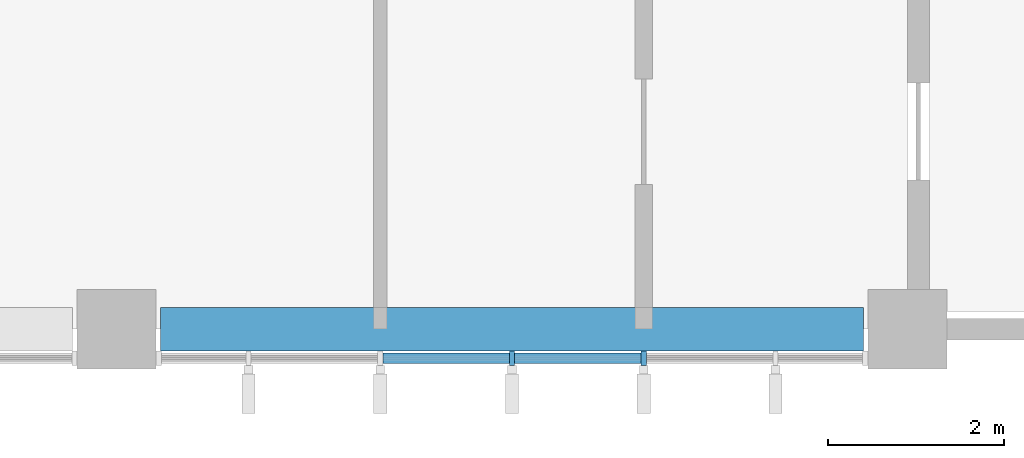
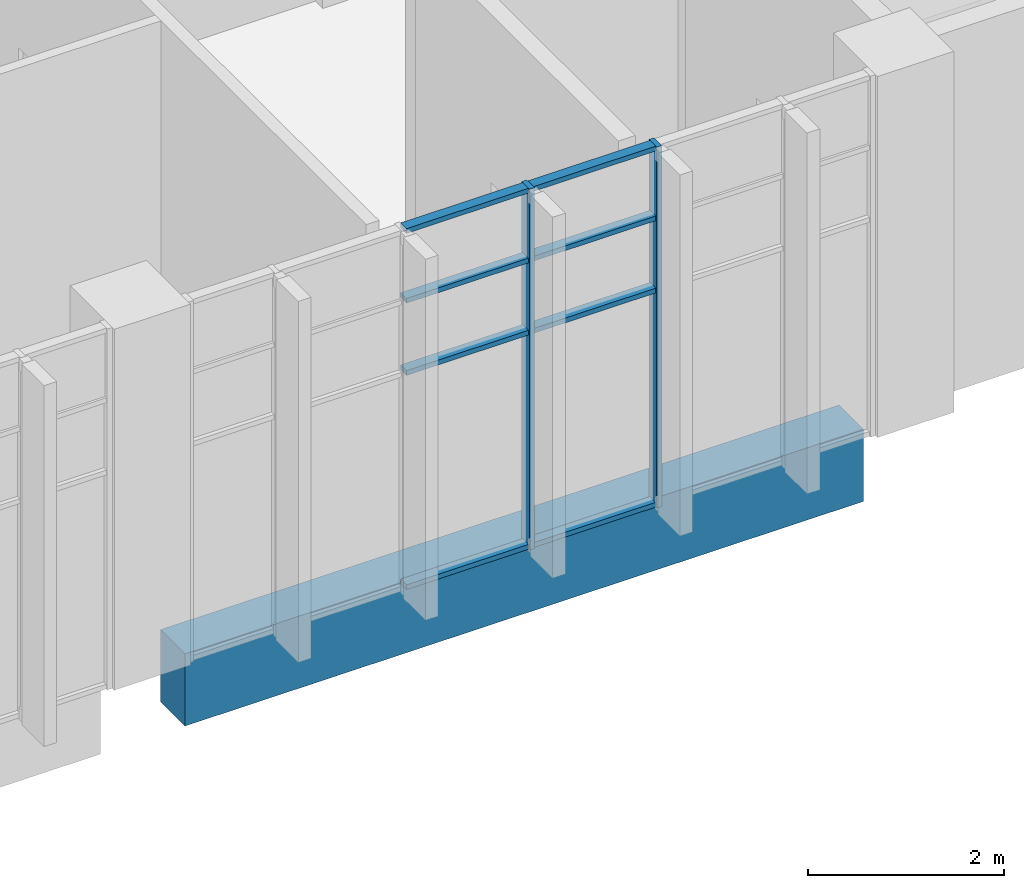
# One storey, part 32 of 106: 10 members, 1 beam, 1 element without a shape of its own.
"""IFC4 building model written with IfcOpenShell, lengths in metres."""

from ifc_helpers import new_model, si_unit, direction, frame, origin, origin_2d, place, context, subcontext, project, spatial, rectangle, extrude, material, layer, layer_set, material_profile, profile_set, type_object, element, aggregate, save


model = new_model("IFC4")

# Units and contexts
model_context = context("Model", 3, precision=1e-05, world=origin(), true_north=direction((0.0, 1.0)))
body_context = subcontext(model_context, "Body", "Model", "MODEL_VIEW")
ifc_project = project(units=[si_unit("LENGTHUNIT", "METRE"), si_unit("AREAUNIT", "SQUARE_METRE"), si_unit("VOLUMEUNIT", "CUBIC_METRE"), si_unit("PLANEANGLEUNIT", "RADIAN"), si_unit("MASSUNIT", "GRAM", prefix="KILO")], contexts=[model_context])

# Site, building, storey
site_placement = place(None, origin())
site = spatial("IfcSite", under=ifc_project, at=site_placement, CompositionType="ELEMENT")
building_placement = place(site_placement, origin())
building = spatial("IfcBuilding", under=site, at=building_placement, Name="Guidao Yard Department Store", CompositionType="ELEMENT")
storey_placement = place(building_placement, frame((0.0, 0.0, 10.5)))
storey = spatial("IfcBuildingStorey", under=building, at=storey_placement, Name="L02", CompositionType="ELEMENT", Elevation=10.5)

# Curtain wall, members
ifc_material_1 = material(Name="Aluminium and glass", Category="aluminium")
ifc_layer = layer(ifc_material_1, 0.159912109375)
ifc_layer_set = layer_set([ifc_layer], Name="Unitised curtain wall CW4 1500 module")
curtain_wall_type = type_object("IfcCurtainWallType", Name="Unitised curtain wall CW4 1500 module", PredefinedType="NOTDEFINED", material=ifc_layer_set)
curtain_wall_placement = place(storey_placement, origin())
curtain_wall = element("IfcCurtainWall", 1, at=curtain_wall_placement, inside=storey, type_object=curtain_wall_type, Name="Unitised curtain wall", PredefinedType="NOTDEFINED")
ifc_material_2 = material(Name="Aluminium 6063-T5", Category="aluminium")
ifc_material_profile_1 = material_profile(ifc_material_2, rectangle(XDim=0.06005859375, YDim=0.159912109375, at=origin_2d()), Name="Mullion M1 60 x 160 aluminium pressure plate")
ifc_profile_set_1 = profile_set([ifc_material_profile_1], Name="Aluminium 6063-T5")
member_type_1 = type_object("IfcMemberType", Name="Mullion M1 60 x 160 aluminium pressure plate", PredefinedType="MULLION", material=ifc_profile_set_1)
member_1_placement = place(storey_placement, frame((157.5, -0.330078125, 0.0), z_axis=(0.0, 0.0, 1.0), x_axis=(-1.0, 0.0, 0.0)))
member_1 = element("IfcMember", 2, at=member_1_placement, type_object=member_type_1, Name="CW-OW-L02-04 mullion 4", PredefinedType="MULLION", context=body_context, shape_type="SweptSolid", body=[
    extrude(rectangle(XDim=0.06005859375, YDim=0.159912109375, at=origin_2d()), origin(), (0.0, 0.0, 1.0), 4.5),
])
member_2_placement = place(storey_placement, frame((159.0, -0.330078125, 0.0), z_axis=(0.0, 0.0, 1.0), x_axis=(-1.0, 0.0, 0.0)))
member_2 = element("IfcMember", 3, at=member_2_placement, type_object=member_type_1, Name="CW-OW-L02-04 mullion 5", PredefinedType="MULLION", context=body_context, shape_type="SweptSolid", body=[
    extrude(rectangle(XDim=0.06005859375, YDim=0.159912109375, at=origin_2d()), origin(), (0.0, 0.0, 1.0), 4.5),
])

# Beam
ifc_material_3 = material(Name="Concrete C40", Category="concrete")
ifc_material_profile_2 = material_profile(ifc_material_3, rectangle(XDim=0.5, YDim=0.89990234375, at=origin_2d()), Name="Spandrel beam 500 x 900 C40")
ifc_profile_set_2 = profile_set([ifc_material_profile_2], Name="Concrete C40")
beam_type = type_object("IfcBeamType", Name="Spandrel beam 500 x 900 C40", PredefinedType="SPANDREL", material=ifc_profile_set_2)
beam_placement = place(storey_placement, frame((153.5, 0.0, -0.449951171875), z_axis=(1.0, 0.0, 0.0), x_axis=(0.0, 1.0, 0.0)))
element("IfcBeam", 4, at=beam_placement, inside=storey, type_object=beam_type, Name="Beam FB03", PredefinedType="SPANDREL", context=body_context, shape_type="SweptSolid", body=[
    extrude(rectangle(XDim=0.5, YDim=0.89990234375, at=origin_2d()), origin(), (0.0, 0.0, 1.0), 8.0),
])

# Member
ifc_material_4 = material(Name="Aluminium 6063-T5", Category="aluminium")
ifc_material_profile_3 = material_profile(ifc_material_4, rectangle(XDim=0.1201171875, YDim=0.06005859375, at=origin_2d()), Name="Transom T1 60 x 120 aluminium pressure plate")
ifc_profile_set_3 = profile_set([ifc_material_profile_3], Name="Aluminium 6063-T5")
member_type_2 = type_object("IfcMemberType", Name="Transom T1 60 x 120 aluminium pressure plate", PredefinedType="USERDEFINED", material=ifc_profile_set_3)
member_3_placement = place(storey_placement, frame((157.469970703125, -0.330078125, 0.030029296875), z_axis=(-1.0, 0.0, 0.0), x_axis=(0.0, -1.0, 0.0)))
member_3 = element("IfcMember", 5, at=member_3_placement, type_object=member_type_2, Name="CW-OW-L02-04 transom 3.1", ObjectType="TRANSOM", PredefinedType="USERDEFINED", context=body_context, shape_type="SweptSolid", body=[
    extrude(rectangle(XDim=0.1201171875, YDim=0.06005859375, at=origin_2d()), origin(), (0.0, 0.0, 1.0), 1.43994140625),
])

member_4_placement = place(storey_placement, frame((157.469970703125, -0.330078125, 2.699951171875), z_axis=(-1.0, 0.0, 0.0), x_axis=(0.0, -1.0, 0.0)))
member_4 = element("IfcMember", 6, at=member_4_placement, type_object=member_type_2, Name="CW-OW-L02-04 transom 3.2", ObjectType="TRANSOM", PredefinedType="USERDEFINED", context=body_context, shape_type="SweptSolid", body=[
    extrude(rectangle(XDim=0.1201171875, YDim=0.06005859375, at=origin_2d()), origin(), (0.0, 0.0, 1.0), 1.43994140625),
])

member_5_placement = place(storey_placement, frame((157.469970703125, -0.330078125, 3.60009765625), z_axis=(-1.0, 0.0, 0.0), x_axis=(0.0, -1.0, 0.0)))
member_5 = element("IfcMember", 7, at=member_5_placement, type_object=member_type_2, Name="CW-OW-L02-04 transom 3.3", ObjectType="TRANSOM", PredefinedType="USERDEFINED", context=body_context, shape_type="SweptSolid", body=[
    extrude(rectangle(XDim=0.1201171875, YDim=0.06005859375, at=origin_2d()), origin(), (0.0, 0.0, 1.0), 1.43994140625),
])

member_6_placement = place(storey_placement, frame((157.469970703125, -0.330078125, 4.469970703125), z_axis=(-1.0, 0.0, 0.0), x_axis=(0.0, -1.0, 0.0)))
member_6 = element("IfcMember", 8, at=member_6_placement, type_object=member_type_2, Name="CW-OW-L02-04 transom 3.4", ObjectType="TRANSOM", PredefinedType="USERDEFINED", context=body_context, shape_type="SweptSolid", body=[
    extrude(rectangle(XDim=0.1201171875, YDim=0.06005859375, at=origin_2d()), origin(), (0.0, 0.0, 1.0), 1.43994140625),
])

member_7_placement = place(storey_placement, frame((158.969970703125, -0.330078125, 0.030029296875), z_axis=(-1.0, 0.0, 0.0), x_axis=(0.0, -1.0, 0.0)))
member_7 = element("IfcMember", 9, at=member_7_placement, type_object=member_type_2, Name="CW-OW-L02-04 transom 4.1", ObjectType="TRANSOM", PredefinedType="USERDEFINED", context=body_context, shape_type="SweptSolid", body=[
    extrude(rectangle(XDim=0.1201171875, YDim=0.06005859375, at=origin_2d()), origin(), (0.0, 0.0, 1.0), 1.43994140625),
])

member_8_placement = place(storey_placement, frame((158.969970703125, -0.330078125, 2.699951171875), z_axis=(-1.0, 0.0, 0.0), x_axis=(0.0, -1.0, 0.0)))
member_8 = element("IfcMember", 10, at=member_8_placement, type_object=member_type_2, Name="CW-OW-L02-04 transom 4.2", ObjectType="TRANSOM", PredefinedType="USERDEFINED", context=body_context, shape_type="SweptSolid", body=[
    extrude(rectangle(XDim=0.1201171875, YDim=0.06005859375, at=origin_2d()), origin(), (0.0, 0.0, 1.0), 1.43994140625),
])

member_9_placement = place(storey_placement, frame((158.969970703125, -0.330078125, 3.60009765625), z_axis=(-1.0, 0.0, 0.0), x_axis=(0.0, -1.0, 0.0)))
member_9 = element("IfcMember", 11, at=member_9_placement, type_object=member_type_2, Name="CW-OW-L02-04 transom 4.3", ObjectType="TRANSOM", PredefinedType="USERDEFINED", context=body_context, shape_type="SweptSolid", body=[
    extrude(rectangle(XDim=0.1201171875, YDim=0.06005859375, at=origin_2d()), origin(), (0.0, 0.0, 1.0), 1.43994140625),
])

member_10_placement = place(storey_placement, frame((158.969970703125, -0.330078125, 4.469970703125), z_axis=(-1.0, 0.0, 0.0), x_axis=(0.0, -1.0, 0.0)))
member_10 = element("IfcMember", 12, at=member_10_placement, type_object=member_type_2, Name="CW-OW-L02-04 transom 4.4", ObjectType="TRANSOM", PredefinedType="USERDEFINED", context=body_context, shape_type="SweptSolid", body=[
    extrude(rectangle(XDim=0.1201171875, YDim=0.06005859375, at=origin_2d()), origin(), (0.0, 0.0, 1.0), 1.43994140625),
])

aggregate(curtain_wall, [member_1, member_2, member_3, member_4, member_5, member_6, member_7, member_8, member_9, member_10])

save(model, "model.ifc")
